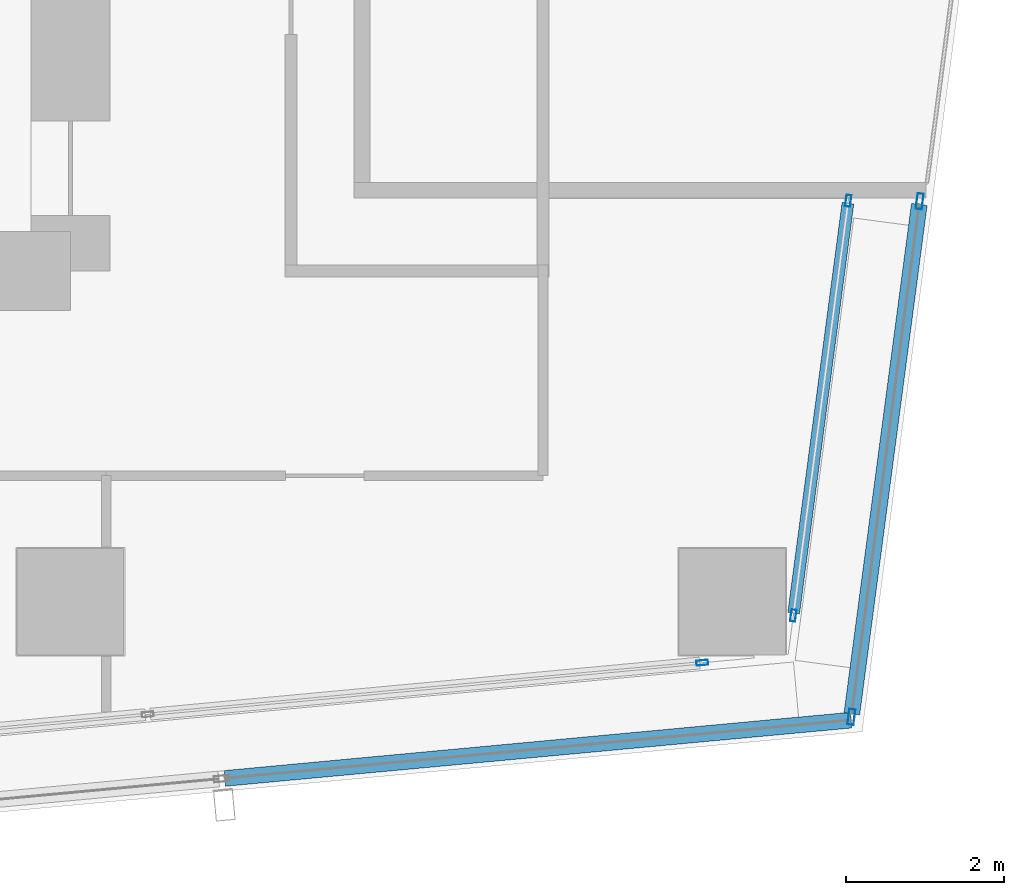
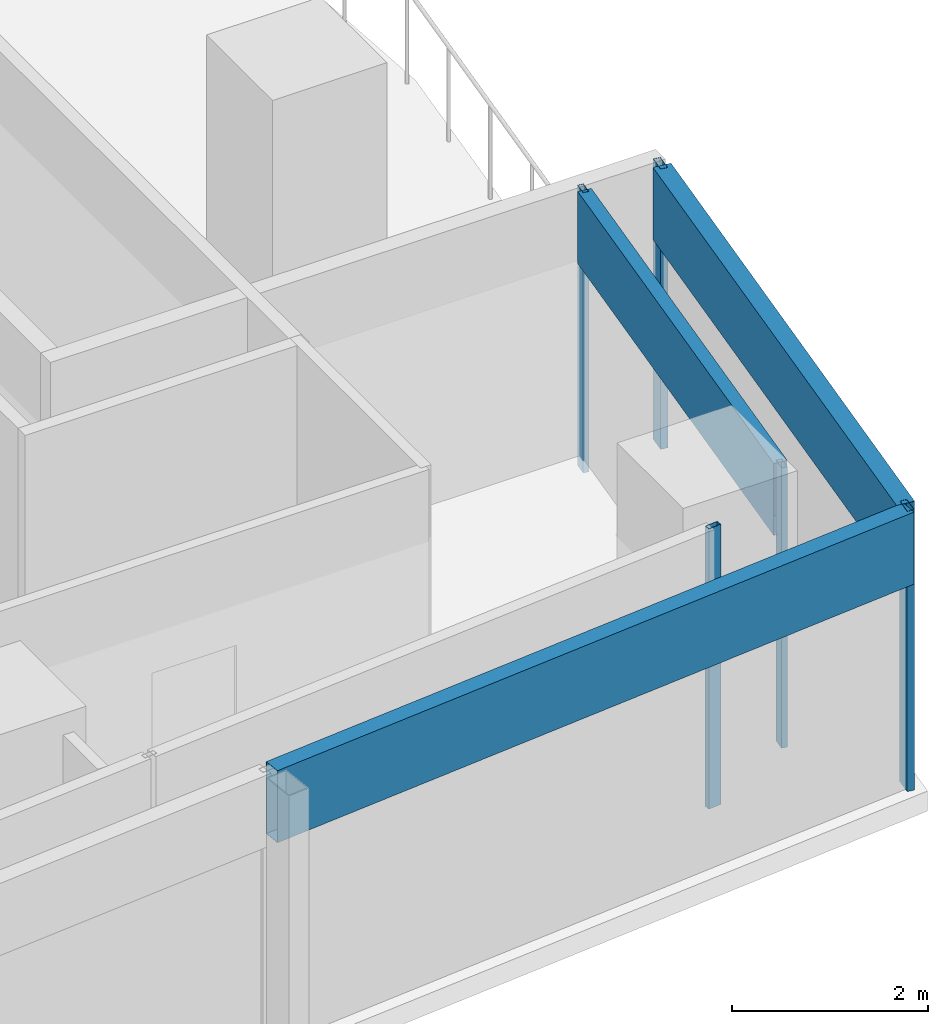
# One storey, part 12 of 33: 8 members, 4 elements without a shape of their own.
"""IFC4 building model written with IfcOpenShell, lengths in metres."""

from ifc_helpers import new_model, si_unit, direction, frame, origin, origin_2d, place, context, subcontext, project, spatial, hollow_rectangle, extrude, material, material_profile, profile_set, type_object, element, aggregate, save


model = new_model("IFC4")

# Units and contexts
model_context = context("Model", 3, precision=1e-05, world=origin(), true_north=direction((0.0, 1.0)))
body_context = subcontext(model_context, "Body", "Model", "MODEL_VIEW")
ifc_project = project(units=[si_unit("LENGTHUNIT", "METRE"), si_unit("AREAUNIT", "SQUARE_METRE"), si_unit("VOLUMEUNIT", "CUBIC_METRE"), si_unit("PLANEANGLEUNIT", "RADIAN"), si_unit("MASSUNIT", "GRAM", prefix="KILO")], contexts=[model_context])

# Site, building, storey
site_placement = place(None, origin())
site = spatial("IfcSite", under=ifc_project, at=site_placement, CompositionType="ELEMENT")
building_placement = place(site_placement, origin())
building = spatial("IfcBuilding", under=site, at=building_placement, Name="Rekha Terrace Tower", CompositionType="ELEMENT")
storey_placement = place(building_placement, frame((0.0, 0.0, 206.449951171875)))
storey = spatial("IfcBuildingStorey", under=building, at=storey_placement, Name="L52", CompositionType="ELEMENT", Elevation=206.449951171875)

# Curtain wall, member
ifc_material_1 = material(Name="Aluminium framing", Category="aluminium")
curtain_wall_type_1 = type_object("IfcCurtainWallType", Name="CW1 double skin inner glazing", PredefinedType="USERDEFINED", material=ifc_material_1)
curtain_wall_1_placement = place(storey_placement, origin())
curtain_wall_1 = element("IfcCurtainWall", 1, at=curtain_wall_1_placement, inside=storey, type_object=curtain_wall_type_1, Name="CW1 double skin inner glazing", ObjectType="DOUBLE SKIN INNER GLAZING", PredefinedType="USERDEFINED")
ifc_material_2 = material(Name="Aluminium mullion section", Category="aluminium")
ifc_material_profile_1 = material_profile(ifc_material_2, hollow_rectangle(XDim=0.06494140625, YDim=0.14990234375, WallThickness=0.00390625, at=origin_2d()), Name="AL RHS 65x150")
ifc_profile_set_1 = profile_set([ifc_material_profile_1], Name="Aluminium mullion section")
member_type_1 = type_object("IfcMemberType", Name="CW1 mullion RHS 65 x 150", PredefinedType="MULLION", material=ifc_profile_set_1)
member_1_placement = place(storey_placement, frame((58.419677734375, 16.025634765625, 0.0), z_axis=(0.0, 0.0, 1.0), x_axis=(-0.092708869564, 0.995693258742, 0.0)))
member_1 = element("IfcMember", 2, at=member_1_placement, type_object=member_type_1, Name="CW1 mullion 3", PredefinedType="MULLION", context=body_context, shape_type="SweptSolid", body=[
    extrude(hollow_rectangle(XDim=0.06494140625, YDim=0.14990234375, WallThickness=0.00390625, at=origin_2d()), origin(), (0.0, 0.0, 1.0), 3.5),
])
aggregate(curtain_wall_1, [member_1])

# Curtain wall, members
curtain_wall_2_placement = place(storey_placement, origin())
curtain_wall_2 = element("IfcCurtainWall", 3, at=curtain_wall_2_placement, inside=storey, type_object=curtain_wall_type_1, Name="CW1 double skin inner glazing", ObjectType="DOUBLE SKIN INNER GLAZING", PredefinedType="USERDEFINED")
member_2_placement = place(storey_placement, frame((59.576171875, 16.624755859375, 0.0), z_axis=(0.0, 0.0, 1.0), x_axis=(-0.991342203175, 0.131303603162, 0.0)))
member_2 = element("IfcMember", 4, at=member_2_placement, type_object=member_type_1, Name="CW1 mullion 1", PredefinedType="MULLION", context=body_context, shape_type="SweptSolid", body=[
    extrude(hollow_rectangle(XDim=0.06494140625, YDim=0.14990234375, WallThickness=0.00390625, at=origin_2d()), origin(), (0.0, 0.0, 1.0), 3.5),
])
member_3_placement = place(storey_placement, frame((60.2734375, 21.889892578125, 0.0), z_axis=(0.0, 0.0, 1.0), x_axis=(-0.991342203175, 0.131303603162, 0.0)))
member_3 = element("IfcMember", 5, at=member_3_placement, type_object=member_type_1, Name="CW1 mullion 2", PredefinedType="MULLION", context=body_context, shape_type="SweptSolid", body=[
    extrude(hollow_rectangle(XDim=0.06494140625, YDim=0.14990234375, WallThickness=0.00390625, at=origin_2d()), origin(), (0.0, 0.0, 1.0), 3.5),
])
ifc_material_3 = material(Name="Insulated aluminium spandrel box", Category="aluminium")
ifc_material_profile_2 = material_profile(ifc_material_3, hollow_rectangle(XDim=0.14990234375, YDim=0.89990234375, WallThickness=0.0029296875, at=origin_2d()), Name="AL SPANDREL BOX 150x900")
ifc_profile_set_2 = profile_set([ifc_material_profile_2], Name="Insulated aluminium spandrel box")
member_type_2 = type_object("IfcMemberType", Name="CW1 spandrel transom 150 x 900", PredefinedType="USERDEFINED", material=ifc_profile_set_2)
member_4_placement = place(storey_placement, frame((59.580322265625, 16.656982421875, 3.050048828125), z_axis=(0.131282704126, 0.991344971035, 0.0), x_axis=(-0.991344971036, 0.131282704126, 0.0)))
member_4 = element("IfcMember", 6, at=member_4_placement, type_object=member_type_2, Name="CW1 spandrel transom 1", ObjectType="TRANSOM", PredefinedType="USERDEFINED", context=body_context, shape_type="SweptSolid", body=[
    extrude(hollow_rectangle(XDim=0.14990234375, YDim=0.89990234375, WallThickness=0.0029296875, at=origin_2d()), origin(), (0.0, 0.0, 1.0), 5.24609375),
])
aggregate(curtain_wall_2, [member_2, member_3, member_4])

curtain_wall_type_2 = type_object("IfcCurtainWallType", Name="CW2 double skin outer glazing", PredefinedType="USERDEFINED", material=ifc_material_1)
curtain_wall_3_placement = place(storey_placement, origin())
curtain_wall_3 = element("IfcCurtainWall", 7, at=curtain_wall_3_placement, inside=storey, type_object=curtain_wall_type_2, Name="CW2 double skin outer glazing", ObjectType="DOUBLE SKIN OUTER GLAZING", PredefinedType="USERDEFINED")
ifc_material_profile_3 = material_profile(ifc_material_2, hollow_rectangle(XDim=0.080078125, YDim=0.199951171875, WallThickness=0.00390625, at=origin_2d()), Name="AL RHS 80x200")
ifc_profile_set_3 = profile_set([ifc_material_profile_3], Name="Aluminium mullion section")
member_type_3 = type_object("IfcMemberType", Name="CW2 mullion RHS 80 x 200", PredefinedType="MULLION", material=ifc_profile_set_3)
member_5_placement = place(storey_placement, frame((60.3134765625, 15.337158203125, 0.0), z_axis=(0.0, 0.0, 1.0), x_axis=(-0.991342203182, 0.13130360311, 0.0)))
member_5 = element("IfcMember", 8, at=member_5_placement, type_object=member_type_3, Name="CW2 mullion 1", PredefinedType="MULLION", context=body_context, shape_type="SweptSolid", body=[
    extrude(hollow_rectangle(XDim=0.080078125, YDim=0.199951171875, WallThickness=0.00390625, at=origin_2d()), origin(), (0.0, 0.0, 1.0), 3.5),
])
member_6_placement = place(storey_placement, frame((61.180419921875, 21.88232421875, 0.0), z_axis=(0.0, 0.0, 1.0), x_axis=(-0.991342203182, 0.13130360311, 0.0)))
member_6 = element("IfcMember", 9, at=member_6_placement, type_object=member_type_3, Name="CW2 mullion 2", PredefinedType="MULLION", context=body_context, shape_type="SweptSolid", body=[
    extrude(hollow_rectangle(XDim=0.080078125, YDim=0.199951171875, WallThickness=0.00390625, at=origin_2d()), origin(), (0.0, 0.0, 1.0), 3.5),
])

# Curtain wall, member
curtain_wall_4_placement = place(storey_placement, origin())
curtain_wall_4 = element("IfcCurtainWall", 10, at=curtain_wall_4_placement, inside=storey, type_object=curtain_wall_type_2, Name="CW2 double skin outer glazing", ObjectType="DOUBLE SKIN OUTER GLAZING", PredefinedType="USERDEFINED")
ifc_material_profile_4 = material_profile(ifc_material_3, hollow_rectangle(XDim=0.199951171875, YDim=0.89990234375, WallThickness=0.0029296875, at=origin_2d()), Name="AL SPANDREL BOX 200x900")
ifc_profile_set_4 = profile_set([ifc_material_profile_4], Name="Insulated aluminium spandrel box")
member_type_4 = type_object("IfcMemberType", Name="CW2 spandrel transom 200 x 900", PredefinedType="USERDEFINED", material=ifc_profile_set_4)
member_7_placement = place(storey_placement, frame((52.36181640625, 14.5576171875, 3.050048828125), z_axis=(0.99569478362, 0.092692490917, 0.0), x_axis=(-0.092692490917, 0.99569478362, 0.0)))
member_7 = element("IfcMember", 11, at=member_7_placement, type_object=member_type_4, Name="CW2 spandrel transom 2", ObjectType="TRANSOM", PredefinedType="USERDEFINED", context=body_context, shape_type="SweptSolid", body=[
    extrude(hollow_rectangle(XDim=0.199951171875, YDim=0.89990234375, WallThickness=0.0029296875, at=origin_2d()), origin(), (0.0, 0.0, 1.0), 7.980712890625),
])
aggregate(curtain_wall_4, [member_7])

# Member
member_8_placement = place(storey_placement, frame((60.318603515625, 15.376708984375, 3.050048828125), z_axis=(0.131305551945, 0.991341945057, 0.0), x_axis=(-0.991341945057, 0.131305551945, 0.0)))
member_8 = element("IfcMember", 12, at=member_8_placement, type_object=member_type_4, Name="CW2 spandrel transom 1", ObjectType="TRANSOM", PredefinedType="USERDEFINED", context=body_context, shape_type="SweptSolid", body=[
    extrude(hollow_rectangle(XDim=0.199951171875, YDim=0.89990234375, WallThickness=0.0029296875, at=origin_2d()), origin(), (0.0, 0.0, 1.0), 6.5224609375),
])

aggregate(curtain_wall_3, [member_5, member_6, member_8])

save(model, "model.ifc")
